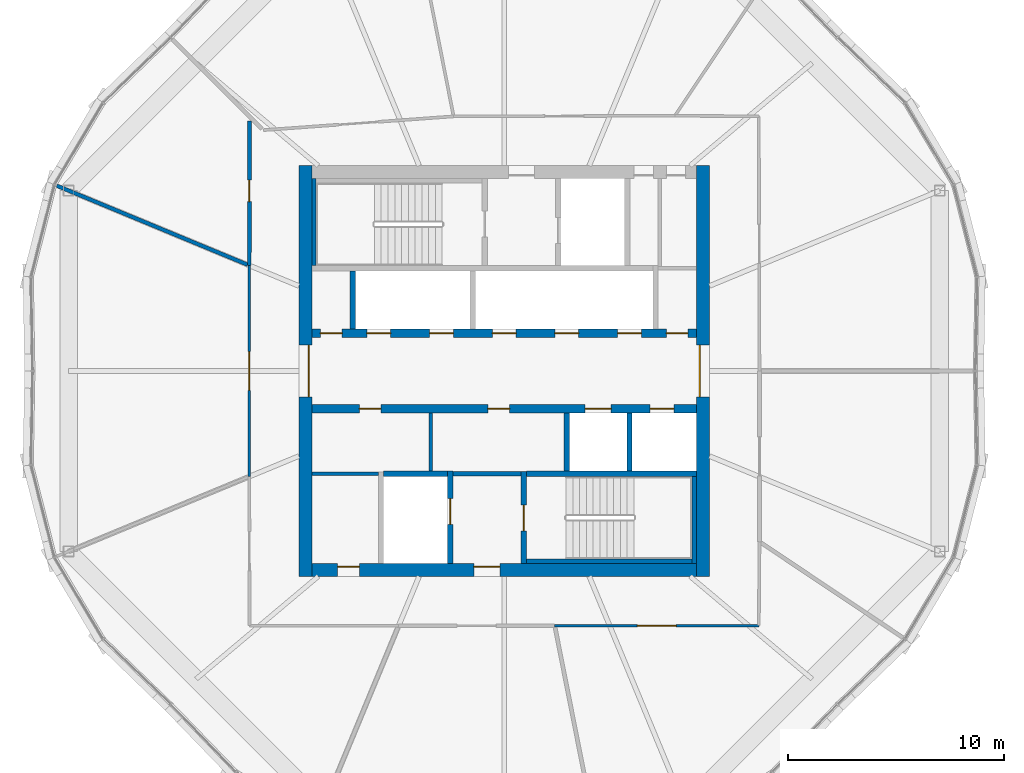
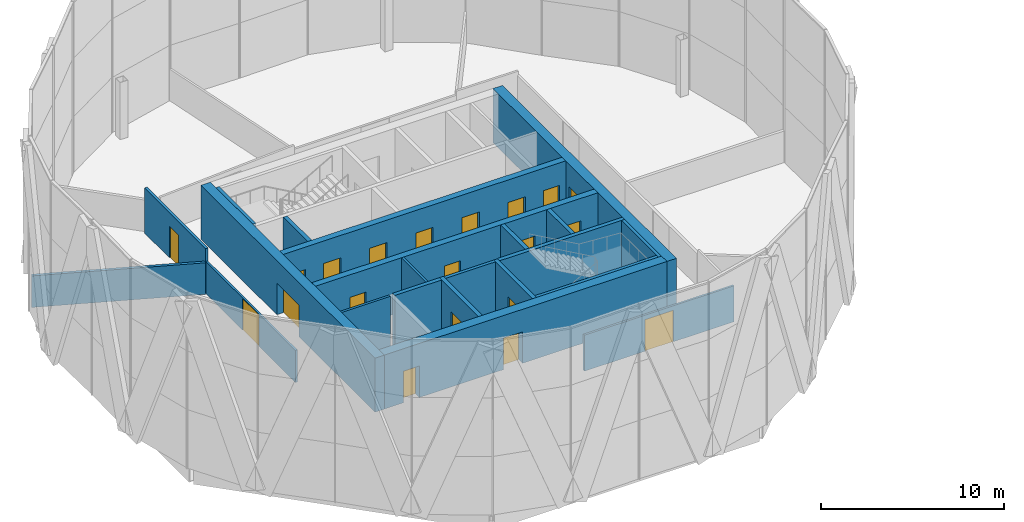
# One storey, part 17 of 23: 22 walls, 20 doors, 20 openings.
"""IFC4 building model written with IfcOpenShell, lengths in metres."""

from ifc_helpers import new_model, si_unit, direction, frame, frame_2d, origin, place, context, subcontext, project, spatial, rectangle, extrude, material, layer, layer_set, type_object, element, fill, save


model = new_model("IFC4")

# Units and contexts
model_context = context("Model", 3, precision=1e-05, world=origin(), true_north=direction((0.0, 1.0)))
body_context = subcontext(model_context, "Body", "Model", "MODEL_VIEW")
ifc_project = project(units=[si_unit("LENGTHUNIT", "METRE"), si_unit("AREAUNIT", "SQUARE_METRE"), si_unit("VOLUMEUNIT", "CUBIC_METRE"), si_unit("PLANEANGLEUNIT", "RADIAN"), si_unit("MASSUNIT", "GRAM", prefix="KILO")], contexts=[model_context])

# Site, building, storey
site_placement = place(None, origin())
site = spatial("IfcSite", under=ifc_project, at=site_placement, CompositionType="ELEMENT")
building_placement = place(site_placement, origin())
building = spatial("IfcBuilding", under=site, at=building_placement, Name="Ogive Gate Towers", CompositionType="ELEMENT")
storey_placement = place(building_placement, frame((0.0, 0.0, 177.300048828125)))
storey = spatial("IfcBuildingStorey", under=building, at=storey_placement, Name="L42", CompositionType="ELEMENT", Elevation=177.300048828125)

# Wall
ifc_material_1 = material(Name="Gypsum board acoustic partition")
ifc_layer_1 = layer(ifc_material_1, 0.175048828125)
ifc_layer_set_1 = layer_set([ifc_layer_1], Name="Acoustic partition 175")
wall_type_1 = type_object("IfcWallType", Name="Acoustic partition 175", PredefinedType="PARTITIONING", material=ifc_layer_set_1)
wall_1_placement = place(storey_placement, frame((-56.7041015625, 8.575927734375, 0.0), z_axis=(0.0, 0.0, 1.0), x_axis=(0.923880210616, -0.382681795271, 0.0)))
element("IfcWall", 1, at=wall_1_placement, inside=storey, type_object=wall_type_1, Name="Partition T1-L42-005", PredefinedType="PARTITIONING", context=body_context, shape_type="SweptSolid", body=[
    extrude(rectangle(XDim=9.561279296875, YDim=0.175048828125, at=frame_2d((4.78076171875, 0.0))), origin(), (0.0, 0.0, 1.0), 2.099853515625),
])

# Wall, opening, door
wall_2_placement = place(storey_placement, frame((-47.7802734375, 11.55908203125, 0.0), z_axis=(0.0, 0.0, 1.0), x_axis=(-0.001426271223, -0.999998982875, 0.0)))
wall_2 = element("IfcWall", 2, at=wall_2_placement, inside=storey, type_object=wall_type_1, Name="Partition T1-L42-015", PredefinedType="PARTITIONING", context=body_context, shape_type="SweptSolid", body=[
    extrude(rectangle(XDim=6.67578125, YDim=0.175048828125, at=frame_2d((3.337890625, 0.0))), origin(), (0.0, 0.0, 1.0), 3.0),
])
opening_1_placement = place(wall_2_placement, frame((2.72705078125, 0.0, 0.0)))
opening_1 = element("IfcOpeningElement", 3, at=opening_1_placement, cuts=wall_2, Name="Opening T1-L42-D05", PredefinedType="OPENING", context=body_context, shape_type="SweptSolid", body=[
    extrude(rectangle(XDim=1.0, YDim=2.10009765625, at=frame_2d((0.5, 1.050048828125))), frame((0.0, 0.09765625, 0.0), z_axis=(0.0, -1.0, 0.0), x_axis=(1.0, 0.0, 0.0)), (0.0, 0.0, 1.0), 0.195068359375),
])
ifc_material_2 = material(Name="Timber door", Category="wood")
door_type_1 = type_object("IfcDoorType", Name="Door 1000", OperationType="NOTDEFINED", PredefinedType="DOOR", material=ifc_material_2)
door_1_placement = place(opening_1_placement, origin())
door_1 = element("IfcDoor", 4, at=door_1_placement, inside=storey, type_object=door_type_1, Name="Door T1-L42-D05", OperationType="SINGLE_SWING_RIGHT", OverallHeight=2.10009765625, OverallWidth=1.0, PredefinedType="DOOR", context=body_context, shape_type="SweptSolid", body=[
    extrude(rectangle(XDim=1.0, YDim=2.10009765625, at=frame_2d((0.5, 1.050048828125))), frame((0.0, 0.02490234375, 0.0), z_axis=(0.0, -1.0, 0.0), x_axis=(1.0, 0.0, 0.0)), (0.0, 0.0, 1.0), 0.050048828125),
])
fill(opening_1, door_1)

# Wall
ifc_material_3 = material(Name="Masonry blockwork", Category="masonry")
ifc_layer_2 = layer(ifc_material_3, 0.199951171875)
ifc_layer_set_2 = layer_set([ifc_layer_2], Name="Blockwork wall 200 mm")
wall_type_2 = type_object("IfcWallType", Name="Blockwork wall 200 mm", PredefinedType="PARTITIONING", material=ifc_layer_set_2)
wall_3_placement = place(storey_placement, frame((-38.375, -4.75, 0.0), z_axis=(0.0, 0.0, 1.0), x_axis=(1.0, 0.0, 0.0)))
element("IfcWall", 5, at=wall_3_placement, inside=storey, type_object=wall_type_2, Name="T1 L42 Blockwork wall 200 mm", PredefinedType="PARTITIONING", context=body_context, shape_type="SweptSolid", body=[
    extrude(rectangle(XDim=3.14990234375, YDim=0.199951171875, at=frame_2d((1.574951171875, 0.0))), origin(), (0.0, 0.0, 1.0), 3.599853515625),
])

# Wall, openings, doors
ifc_material_4 = material(Name="Concrete C60/75", Category="concrete")
ifc_layer_3 = layer(ifc_material_4, 0.60009765625)
ifc_layer_set_3 = layer_set([ifc_layer_3], Name="Core wall 600 mm")
wall_type_3 = type_object("IfcWallType", Name="Core wall 600 mm", PredefinedType="SHEAR", material=ifc_layer_set_3)
wall_4_placement = place(storey_placement, frame((-44.89990234375, -9.199951171875, 0.0), z_axis=(0.0, 0.0, 1.0), x_axis=(1.0, 0.0, 0.0)))
wall_4 = element("IfcWall", 6, at=wall_4_placement, inside=storey, type_object=wall_type_3, Name="T1 L42 Core wall 600 mm", PredefinedType="SHEAR", context=body_context, shape_type="SweptSolid", body=[
    extrude(rectangle(XDim=17.7998046875, YDim=0.60009765625, at=frame_2d((8.89990234375, 0.0))), origin(), (0.0, 0.0, 1.0), 3.599853515625),
])
opening_2_placement = place(wall_4_placement, frame((7.5, 0.0, 0.0)))
opening_2 = element("IfcOpeningElement", 7, at=opening_2_placement, cuts=wall_4, Name="Opening KD-T1-L42-19", PredefinedType="OPENING", context=body_context, shape_type="SweptSolid", body=[
    extrude(rectangle(XDim=1.199951171875, YDim=2.10009765625, at=frame_2d((0.60009765625, 1.050048828125))), frame((0.0, 0.31005859375, 0.0), z_axis=(0.0, -1.0, 0.0), x_axis=(1.0, 0.0, 0.0)), (0.0, 0.0, 1.0), 0.6201171875),
])
opening_3_placement = place(wall_4_placement, frame((1.199951171875, 0.0, 0.0)))
opening_3 = element("IfcOpeningElement", 8, at=opening_3_placement, cuts=wall_4, Name="Opening KD-T1-L42-22", PredefinedType="OPENING", context=body_context, shape_type="SweptSolid", body=[
    extrude(rectangle(XDim=1.0, YDim=2.10009765625, at=frame_2d((0.5, 1.050048828125))), frame((0.0, 0.31005859375, 0.0), z_axis=(0.0, -1.0, 0.0), x_axis=(1.0, 0.0, 0.0)), (0.0, 0.0, 1.0), 0.6201171875),
])
door_type_2 = type_object("IfcDoorType", Name="Accessible WC door 1000 x 2100", OperationType="NOTDEFINED", PredefinedType="DOOR", material=ifc_material_2)
door_2_placement = place(opening_3_placement, origin())
door_2 = element("IfcDoor", 9, at=door_2_placement, inside=storey, type_object=door_type_2, Name="T1 L42 Core door", OperationType="SINGLE_SWING_LEFT", OverallHeight=2.10009765625, OverallWidth=1.0, PredefinedType="DOOR", context=body_context, shape_type="SweptSolid", body=[
    extrude(rectangle(XDim=1.0, YDim=2.10009765625, at=frame_2d((0.5, 1.050048828125))), frame((0.0, 0.1748046875, 0.0), z_axis=(0.0, -1.0, 0.0), x_axis=(1.0, 0.0, 0.0)), (0.0, 0.0, 1.0), 0.050048828125),
])
fill(opening_3, door_2)
ifc_material_5 = material(Name="Steel fire door", Category="steel")
door_type_3 = type_object("IfcDoorType", Name="Core door FD60S 1200 x 2100", OperationType="NOTDEFINED", PredefinedType="DOOR", material=ifc_material_5)
door_3_placement = place(opening_2_placement, origin())
door_3 = element("IfcDoor", 10, at=door_3_placement, inside=storey, type_object=door_type_3, Name="T1 L42 Fire-fighting lobby door", OperationType="SINGLE_SWING_RIGHT", OverallHeight=2.10009765625, OverallWidth=1.199951171875, PredefinedType="DOOR", context=body_context, shape_type="SweptSolid", body=[
    extrude(rectangle(XDim=1.199951171875, YDim=2.10009765625, at=frame_2d((0.60009765625, 1.050048828125))), frame((0.0, 0.1748046875, 0.0), z_axis=(0.0, -1.0, 0.0), x_axis=(1.0, 0.0, 0.0)), (0.0, 0.0, 1.0), 0.050048828125),
])
fill(opening_2, door_3)

# Wall, opening, door
wall_5_placement = place(storey_placement, frame((-45.199951171875, -9.5, 0.0), z_axis=(0.0, 0.0, 1.0), x_axis=(0.0, 1.0, 0.0)))
wall_5 = element("IfcWall", 11, at=wall_5_placement, inside=storey, type_object=wall_type_3, Name="T1 L42 Core wall 600 mm", PredefinedType="SHEAR", context=body_context, shape_type="SweptSolid", body=[
    extrude(rectangle(XDim=19.0, YDim=0.60009765625, at=frame_2d((9.5, 0.0))), origin(), (0.0, 0.0, 1.0), 3.599853515625),
])
opening_4_placement = place(wall_5_placement, frame((8.300048828125, 0.0, 0.0)))
opening_4 = element("IfcOpeningElement", 12, at=opening_4_placement, cuts=wall_5, Name="Opening KD-T1-L42-01", PredefinedType="OPENING", context=body_context, shape_type="SweptSolid", body=[
    extrude(rectangle(XDim=2.39990234375, YDim=2.10009765625, at=frame_2d((1.199951171875, 1.050048828125))), frame((0.0, 0.31005859375, 0.0), z_axis=(0.0, -1.0, 0.0), x_axis=(1.0, 0.0, 0.0)), (0.0, 0.0, 1.0), 0.6201171875),
])
door_type_4 = type_object("IfcDoorType", Name="Core double door FD60S 2400 x 2100", OperationType="DOUBLE_DOOR_SINGLE_SWING", PredefinedType="DOOR", material=ifc_material_5)
door_4_placement = place(opening_4_placement, origin())
door_4 = element("IfcDoor", 13, at=door_4_placement, inside=storey, type_object=door_type_4, Name="T1 L42 Core door double", OperationType="DOUBLE_DOOR_SINGLE_SWING", OverallHeight=2.10009765625, OverallWidth=2.39990234375, PredefinedType="DOOR", context=body_context, shape_type="SweptSolid", body=[
    extrude(rectangle(XDim=2.39990234375, YDim=2.10009765625, at=frame_2d((1.199951171875, 1.050048828125))), frame((0.0, -0.125, 0.0), z_axis=(0.0, -1.0, 0.0), x_axis=(1.0, 0.0, 0.0)), (0.0, 0.0, 1.0), 0.050048828125),
])
fill(opening_4, door_4)

wall_6_placement = place(storey_placement, frame((-26.800048828125, -9.5, 0.0), z_axis=(0.0, 0.0, 1.0), x_axis=(0.0, 1.0, 0.0)))
wall_6 = element("IfcWall", 14, at=wall_6_placement, inside=storey, type_object=wall_type_3, Name="T1 L42 Core wall 600 mm", PredefinedType="SHEAR", context=body_context, shape_type="SweptSolid", body=[
    extrude(rectangle(XDim=19.0, YDim=0.60009765625, at=frame_2d((9.5, 0.0))), origin(), (0.0, 0.0, 1.0), 3.599853515625),
])
opening_5_placement = place(wall_6_placement, frame((8.300048828125, 0.0, 0.0)))
opening_5 = element("IfcOpeningElement", 15, at=opening_5_placement, cuts=wall_6, Name="Opening KD-T1-L42-02", PredefinedType="OPENING", context=body_context, shape_type="SweptSolid", body=[
    extrude(rectangle(XDim=2.39990234375, YDim=2.10009765625, at=frame_2d((1.199951171875, 1.050048828125))), frame((0.0, 0.31005859375, 0.0), z_axis=(0.0, -1.0, 0.0), x_axis=(1.0, 0.0, 0.0)), (0.0, 0.0, 1.0), 0.6201171875),
])
door_5_placement = place(opening_5_placement, origin())
door_5 = element("IfcDoor", 16, at=door_5_placement, inside=storey, type_object=door_type_4, Name="T1 L42 Core door double", OperationType="DOUBLE_DOOR_SINGLE_SWING", OverallHeight=2.10009765625, OverallWidth=2.39990234375, PredefinedType="DOOR", context=body_context, shape_type="SweptSolid", body=[
    extrude(rectangle(XDim=2.39990234375, YDim=2.10009765625, at=frame_2d((1.199951171875, 1.050048828125))), frame((0.0, 0.1748046875, 0.0), z_axis=(0.0, -1.0, 0.0), x_axis=(1.0, 0.0, 0.0)), (0.0, 0.0, 1.0), 0.050048828125),
])
fill(opening_5, door_5)

ifc_material_6 = material(Name="Gypsum board partition")
ifc_layer_4 = layer(ifc_material_6, 0.125)
ifc_layer_set_4 = layer_set([ifc_layer_4], Name="Partition 125")
wall_type_4 = type_object("IfcWallType", Name="Partition 125", PredefinedType="PARTITIONING", material=ifc_layer_set_4)
wall_7_placement = place(storey_placement, frame((-47.789794921875, 4.88330078125, 0.0), z_axis=(0.0, 0.0, 1.0), x_axis=(0.0, -1.0, 0.0)))
wall_7 = element("IfcWall", 17, at=wall_7_placement, inside=storey, type_object=wall_type_4, Name="Partition T1-L42-016", PredefinedType="PARTITIONING", context=body_context, shape_type="SweptSolid", body=[
    extrude(rectangle(XDim=9.7666015625, YDim=0.125, at=frame_2d((4.88330078125, 0.0))), origin(), (0.0, 0.0, 1.0), 2.139892578125),
])
opening_6_placement = place(wall_7_placement, frame((3.98291015625, 0.0, 0.0)))
opening_6 = element("IfcOpeningElement", 18, at=opening_6_placement, cuts=wall_7, Name="Opening T1-L42-D06", PredefinedType="OPENING", context=body_context, shape_type="SweptSolid", body=[
    extrude(rectangle(XDim=1.800048828125, YDim=2.10009765625, at=frame_2d((0.89990234375, 1.050048828125))), frame((0.0, 0.072509765625, 0.0), z_axis=(0.0, -1.0, 0.0), x_axis=(1.0, 0.0, 0.0)), (0.0, 0.0, 1.0), 0.14501953125),
])
door_type_5 = type_object("IfcDoorType", Name="Door pair 1800", OperationType="NOTDEFINED", PredefinedType="DOOR", material=ifc_material_2)
door_6_placement = place(opening_6_placement, origin())
door_6 = element("IfcDoor", 19, at=door_6_placement, inside=storey, type_object=door_type_5, Name="Door T1-L42-D06", OperationType="DOUBLE_DOOR_DOUBLE_SWING", OverallHeight=2.10009765625, OverallWidth=1.800048828125, PredefinedType="DOOR", context=body_context, shape_type="SweptSolid", body=[
    extrude(rectangle(XDim=1.800048828125, YDim=2.10009765625, at=frame_2d((0.89990234375, 1.050048828125))), frame((0.0, 0.02490234375, 0.0), z_axis=(0.0, -1.0, 0.0), x_axis=(1.0, 0.0, 0.0)), (0.0, 0.0, 1.0), 0.050048828125),
])
fill(opening_6, door_6)

wall_8_placement = place(storey_placement, frame((-33.6611328125, -11.78076171875, 0.0), z_axis=(0.0, 0.0, 1.0), x_axis=(0.999999996991, 7.7577513e-05, 0.0)))
wall_8 = element("IfcWall", 20, at=wall_8_placement, inside=storey, type_object=wall_type_4, Name="Partition T1-L42-020", PredefinedType="PARTITIONING", context=body_context, shape_type="SweptSolid", body=[
    extrude(rectangle(XDim=9.441162109375, YDim=0.125, at=frame_2d((4.720703125, 0.0))), origin(), (0.0, 0.0, 1.0), 2.39990234375),
])
opening_7_placement = place(wall_8_placement, frame((3.821044921875, 0.0, 0.0)))
opening_7 = element("IfcOpeningElement", 21, at=opening_7_placement, cuts=wall_8, Name="Opening T1-L42-D09", PredefinedType="OPENING", context=body_context, shape_type="SweptSolid", body=[
    extrude(rectangle(XDim=1.800048828125, YDim=2.10009765625, at=frame_2d((0.89990234375, 1.050048828125))), frame((0.0, 0.072509765625, 0.0), z_axis=(0.0, -1.0, 0.0), x_axis=(1.0, 0.0, 0.0)), (0.0, 0.0, 1.0), 0.14501953125),
])
door_7_placement = place(opening_7_placement, origin())
door_7 = element("IfcDoor", 22, at=door_7_placement, inside=storey, type_object=door_type_5, Name="Door T1-L42-D09", OperationType="DOUBLE_DOOR_DOUBLE_SWING", OverallHeight=2.10009765625, OverallWidth=1.800048828125, PredefinedType="DOOR", context=body_context, shape_type="SweptSolid", body=[
    extrude(rectangle(XDim=1.800048828125, YDim=2.10009765625, at=frame_2d((0.89990234375, 1.050048828125))), frame((0.0, 0.02490234375, 0.0), z_axis=(0.0, -1.0, 0.0), x_axis=(1.0, 0.0, 0.0)), (0.0, 0.0, 1.0), 0.050048828125),
])
fill(opening_7, door_7)

# Walls
ifc_layer_5 = layer(ifc_material_6, 0.14990234375)
ifc_layer_set_5 = layer_set([ifc_layer_5], Name="Room partition 150 mm")
wall_type_5 = type_object("IfcWallType", Name="Room partition 150 mm", PredefinedType="PARTITIONING", material=ifc_layer_set_5)
wall_9_placement = place(storey_placement, frame((-44.89990234375, -4.75, 0.0), z_axis=(0.0, 0.0, 1.0), x_axis=(1.0, 0.0, 0.0)))
element("IfcWall", 23, at=wall_9_placement, inside=storey, type_object=wall_type_5, Name="T1 L42 Room partition 150 mm", PredefinedType="PARTITIONING", context=body_context, shape_type="SweptSolid", body=[
    extrude(rectangle(XDim=3.074951171875, YDim=0.14990234375, at=frame_2d((1.53759765625, 0.0))), origin(), (0.0, 0.0, 1.0), 3.599853515625),
])
wall_10_placement = place(storey_placement, frame((-39.39990234375, -4.625, 0.0), z_axis=(0.0, 0.0, 1.0), x_axis=(0.0, 1.0, 0.0)))
element("IfcWall", 24, at=wall_10_placement, inside=storey, type_object=wall_type_5, Name="T1 L42 Room partition 150 mm", PredefinedType="PARTITIONING", context=body_context, shape_type="SweptSolid", body=[
    extrude(rectangle(XDim=2.675048828125, YDim=0.14990234375, at=frame_2d((1.33740234375, 0.0))), origin(), (0.0, 0.0, 1.0), 3.599853515625),
])
ifc_layer_6 = layer(ifc_material_4, 0.25)
ifc_layer_set_6 = layer_set([ifc_layer_6], Name="Shaft wall 250 mm")
wall_type_6 = type_object("IfcWallType", Name="Shaft wall 250 mm", PredefinedType="SHEAR", material=ifc_layer_set_6)
wall_11_placement = place(storey_placement, frame((-41.574951171875, -4.75, 0.0), z_axis=(0.0, 0.0, 1.0), x_axis=(1.0, 0.0, 0.0)))
element("IfcWall", 25, at=wall_11_placement, inside=storey, type_object=wall_type_6, Name="T1 L42 Shaft wall 250 mm", PredefinedType="SHEAR", context=body_context, shape_type="SweptSolid", body=[
    extrude(rectangle(XDim=2.949951171875, YDim=0.25, at=frame_2d((1.47509765625, 0.0))), origin(), (0.0, 0.0, 1.0), 3.599853515625),
])
wall_12_placement = place(storey_placement, frame((-34.97509765625, -4.75, 0.0), z_axis=(0.0, 0.0, 1.0), x_axis=(1.0, 0.0, 0.0)))
element("IfcWall", 26, at=wall_12_placement, inside=storey, type_object=wall_type_6, Name="T1 L42 Shaft wall 250 mm", PredefinedType="SHEAR", context=body_context, shape_type="SweptSolid", body=[
    extrude(rectangle(XDim=7.875, YDim=0.25, at=frame_2d((3.9375, 0.0))), origin(), (0.0, 0.0, 1.0), 3.599853515625),
])
wall_13_placement = place(storey_placement, frame((-43.0, 1.949951171875, 0.0), z_axis=(0.0, 0.0, 1.0), x_axis=(0.0, 1.0, 0.0)))
element("IfcWall", 27, at=wall_13_placement, inside=storey, type_object=wall_type_6, Name="T1 L42 Shaft wall 250 mm", PredefinedType="SHEAR", context=body_context, shape_type="SweptSolid", body=[
    extrude(rectangle(XDim=2.675048828125, YDim=0.25, at=frame_2d((1.33740234375, 0.0))), origin(), (0.0, 0.0, 1.0), 3.599853515625),
])

# Wall, opening, door
wall_14_placement = place(storey_placement, frame((-38.5, -8.89990234375, 0.0), z_axis=(0.0, 0.0, 1.0), x_axis=(0.0, 1.0, 0.0)))
wall_14 = element("IfcWall", 28, at=wall_14_placement, inside=storey, type_object=wall_type_6, Name="T1 L42 Shaft wall 250 mm", PredefinedType="SHEAR", context=body_context, shape_type="SweptSolid", body=[
    extrude(rectangle(XDim=4.27490234375, YDim=0.25, at=frame_2d((2.137451171875, 0.0))), origin(), (0.0, 0.0, 1.0), 3.599853515625),
])
opening_8_placement = place(wall_14_placement, frame((1.800048828125, 0.0, 0.0)))
opening_8 = element("IfcOpeningElement", 29, at=opening_8_placement, cuts=wall_14, Name="Opening LD-T1-L42-13", PredefinedType="OPENING", context=body_context, shape_type="SweptSolid", body=[
    extrude(rectangle(XDim=1.199951171875, YDim=2.10009765625, at=frame_2d((0.60009765625, 1.050048828125))), frame((0.0, 0.135009765625, 0.0), z_axis=(0.0, -1.0, 0.0), x_axis=(1.0, 0.0, 0.0)), (0.0, 0.0, 1.0), 0.27001953125),
])
ifc_material_7 = material(Name="Stainless steel landing door", Category="steel")
door_type_6 = type_object("IfcDoorType", Name="Landing door 1200 x 2100", OperationType="SLIDING_TO_LEFT", PredefinedType="DOOR", material=ifc_material_7)
door_8_placement = place(opening_8_placement, origin())
door_8 = element("IfcDoor", 30, at=door_8_placement, inside=storey, type_object=door_type_6, Name="T1 L42 Lift landing door FF2", OperationType="SLIDING_TO_LEFT", OverallHeight=2.10009765625, OverallWidth=1.199951171875, PredefinedType="DOOR", context=body_context, shape_type="SweptSolid", body=[
    extrude(rectangle(XDim=1.199951171875, YDim=2.10009765625, at=frame_2d((0.60009765625, 1.050048828125))), frame((0.0, 0.02490234375, 0.0), z_axis=(0.0, -1.0, 0.0), x_axis=(1.0, 0.0, 0.0)), (0.0, 0.0, 1.0), 0.050048828125),
])
fill(opening_8, door_8)

wall_15_placement = place(storey_placement, frame((-35.10009765625, -8.89990234375, 0.0), z_axis=(0.0, 0.0, 1.0), x_axis=(0.0, 1.0, 0.0)))
wall_15 = element("IfcWall", 31, at=wall_15_placement, inside=storey, type_object=wall_type_6, Name="T1 L42 Shaft wall 250 mm", PredefinedType="SHEAR", context=body_context, shape_type="SweptSolid", body=[
    extrude(rectangle(XDim=4.25, YDim=0.25, at=frame_2d((2.125, 0.0))), origin(), (0.0, 0.0, 1.0), 3.599853515625),
])
opening_9_placement = place(wall_15_placement, frame((1.5, 0.0, 0.0)))
opening_9 = element("IfcOpeningElement", 32, at=opening_9_placement, cuts=wall_15, Name="Opening KD-T1-L42-17", PredefinedType="OPENING", context=body_context, shape_type="SweptSolid", body=[
    extrude(rectangle(XDim=1.199951171875, YDim=2.10009765625, at=frame_2d((0.60009765625, 1.050048828125))), frame((0.0, 0.135009765625, 0.0), z_axis=(0.0, -1.0, 0.0), x_axis=(1.0, 0.0, 0.0)), (0.0, 0.0, 1.0), 0.27001953125),
])
door_9_placement = place(opening_9_placement, origin())
door_9 = element("IfcDoor", 33, at=door_9_placement, inside=storey, type_object=door_type_3, Name="T1 L42 Stair door", OperationType="SINGLE_SWING_RIGHT", OverallHeight=2.10009765625, OverallWidth=1.199951171875, PredefinedType="DOOR", context=body_context, shape_type="SweptSolid", body=[
    extrude(rectangle(XDim=1.199951171875, YDim=2.10009765625, at=frame_2d((0.60009765625, 1.050048828125))), frame((0.0, 0.02490234375, 0.0), z_axis=(0.0, -1.0, 0.0), x_axis=(1.0, 0.0, 0.0)), (0.0, 0.0, 1.0), 0.050048828125),
])
fill(opening_9, door_9)

# Walls
for number, where, z_axis, x_axis, name in (
    (34, (-33.10009765625, -4.625, 0.0), (0.0, 0.0, 1.0), (0.0, 1.0, 0.0), "T1 L42 Shaft wall 250 mm"),
    (35, (-30.199951171875, -4.625, 0.0), (0.0, 0.0, 1.0), (0.0, 1.0, 0.0), "T1 L42 Shaft wall 250 mm"),
):
    element("IfcWall", number, at=place(storey_placement, frame(where, z_axis=z_axis, x_axis=x_axis)), inside=storey, type_object=wall_type_6, Name=name, PredefinedType="SHEAR", context=body_context, shape_type="SweptSolid", body=[
        extrude(rectangle(XDim=2.675048828125, YDim=0.25, at=frame_2d((1.33740234375, 0.0))), origin(), (0.0, 0.0, 1.0), 3.599853515625),
    ])

# Wall, openings, doors
ifc_layer_7 = layer(ifc_material_4, 0.39990234375)
ifc_layer_set_7 = layer_set([ifc_layer_7], Name="Spine wall 400 mm")
wall_type_7 = type_object("IfcWallType", Name="Spine wall 400 mm", PredefinedType="SHEAR", material=ifc_layer_set_7)
wall_16_placement = place(storey_placement, frame((-44.89990234375, -1.75, 0.0), z_axis=(0.0, 0.0, 1.0), x_axis=(1.0, 0.0, 0.0)))
wall_16 = element("IfcWall", 36, at=wall_16_placement, inside=storey, type_object=wall_type_7, Name="T1 L42 Spine wall 400 mm", PredefinedType="SHEAR", context=body_context, shape_type="SweptSolid", body=[
    extrude(rectangle(XDim=17.7998046875, YDim=0.39990234375, at=frame_2d((8.89990234375, 0.0))), origin(), (0.0, 0.0, 1.0), 3.599853515625),
])
opening_10_placement = place(wall_16_placement, frame((12.64990234375, 0.0, 0.0)))
opening_10 = element("IfcOpeningElement", 37, at=opening_10_placement, cuts=wall_16, Name="Opening LD-T1-L42-10", PredefinedType="OPENING", context=body_context, shape_type="SweptSolid", body=[
    extrude(rectangle(XDim=1.199951171875, YDim=2.10009765625, at=frame_2d((0.60009765625, 1.050048828125))), frame((0.0, 0.2099609375, 0.0), z_axis=(0.0, -1.0, 0.0), x_axis=(1.0, 0.0, 0.0)), (0.0, 0.0, 1.0), 0.419921875),
])
opening_11_placement = place(wall_16_placement, frame((15.64990234375, 0.0, 0.0)))
opening_11 = element("IfcOpeningElement", 38, at=opening_11_placement, cuts=wall_16, Name="Opening LD-T1-L42-11", PredefinedType="OPENING", context=body_context, shape_type="SweptSolid", body=[
    extrude(rectangle(XDim=1.10009765625, YDim=2.10009765625, at=frame_2d((0.550048828125, 1.050048828125))), frame((0.0, 0.2099609375, 0.0), z_axis=(0.0, -1.0, 0.0), x_axis=(1.0, 0.0, 0.0)), (0.0, 0.0, 1.0), 0.419921875),
])
opening_12_placement = place(wall_16_placement, frame((2.199951171875, 0.0, 0.0)))
opening_12 = element("IfcOpeningElement", 39, at=opening_12_placement, cuts=wall_16, Name="Opening KD-T1-L42-14", PredefinedType="OPENING", context=body_context, shape_type="SweptSolid", body=[
    extrude(rectangle(XDim=1.0, YDim=2.10009765625, at=frame_2d((0.5, 1.050048828125))), frame((0.0, 0.2099609375, 0.0), z_axis=(0.0, -1.0, 0.0), x_axis=(1.0, 0.0, 0.0)), (0.0, 0.0, 1.0), 0.419921875),
])
opening_13_placement = place(wall_16_placement, frame((8.14990234375, 0.0, 0.0)))
opening_13 = element("IfcOpeningElement", 40, at=opening_13_placement, cuts=wall_16, Name="Opening KD-T1-L42-15", PredefinedType="OPENING", context=body_context, shape_type="SweptSolid", body=[
    extrude(rectangle(XDim=1.0, YDim=2.10009765625, at=frame_2d((0.5, 1.050048828125))), frame((0.0, 0.2099609375, 0.0), z_axis=(0.0, -1.0, 0.0), x_axis=(1.0, 0.0, 0.0)), (0.0, 0.0, 1.0), 0.419921875),
])
door_type_7 = type_object("IfcDoorType", Name="Core door FD60S 1000 x 2100", OperationType="NOTDEFINED", PredefinedType="DOOR", material=ifc_material_5)
door_10_placement = place(opening_12_placement, origin())
door_10 = element("IfcDoor", 41, at=door_10_placement, inside=storey, type_object=door_type_7, Name="T1 L42 Core door", OperationType="SINGLE_SWING_LEFT", OverallHeight=2.10009765625, OverallWidth=1.0, PredefinedType="DOOR", context=body_context, shape_type="SweptSolid", body=[
    extrude(rectangle(XDim=1.0, YDim=2.10009765625, at=frame_2d((0.5, 1.050048828125))), frame((0.0, 0.02490234375, 0.0), z_axis=(0.0, -1.0, 0.0), x_axis=(1.0, 0.0, 0.0)), (0.0, 0.0, 1.0), 0.050048828125),
])
fill(opening_12, door_10)
door_11_placement = place(opening_13_placement, origin())
door_11 = element("IfcDoor", 42, at=door_11_placement, inside=storey, type_object=door_type_7, Name="T1 L42 Core door", OperationType="SINGLE_SWING_RIGHT", OverallHeight=2.10009765625, OverallWidth=1.0, PredefinedType="DOOR", context=body_context, shape_type="SweptSolid", body=[
    extrude(rectangle(XDim=1.0, YDim=2.10009765625, at=frame_2d((0.5, 1.050048828125))), frame((0.0, 0.02490234375, 0.0), z_axis=(0.0, -1.0, 0.0), x_axis=(1.0, 0.0, 0.0)), (0.0, 0.0, 1.0), 0.050048828125),
])
fill(opening_13, door_11)
door_type_8 = type_object("IfcDoorType", Name="Landing door 1100 x 2100", OperationType="SLIDING_TO_LEFT", PredefinedType="DOOR", material=ifc_material_7)
door_12_placement = place(opening_11_placement, origin())
door_12 = element("IfcDoor", 43, at=door_12_placement, inside=storey, type_object=door_type_8, Name="T1 L42 Lift landing door B6", OperationType="SLIDING_TO_LEFT", OverallHeight=2.10009765625, OverallWidth=1.10009765625, PredefinedType="DOOR", context=body_context, shape_type="SweptSolid", body=[
    extrude(rectangle(XDim=1.10009765625, YDim=2.10009765625, at=frame_2d((0.550048828125, 1.050048828125))), frame((0.0, 0.02490234375, 0.0), z_axis=(0.0, -1.0, 0.0), x_axis=(1.0, 0.0, 0.0)), (0.0, 0.0, 1.0), 0.050048828125),
])
fill(opening_11, door_12)
door_13_placement = place(opening_10_placement, origin())
door_13 = element("IfcDoor", 44, at=door_13_placement, inside=storey, type_object=door_type_6, Name="T1 L42 Lift landing door SVC", OperationType="SLIDING_TO_LEFT", OverallHeight=2.10009765625, OverallWidth=1.199951171875, PredefinedType="DOOR", context=body_context, shape_type="SweptSolid", body=[
    extrude(rectangle(XDim=1.199951171875, YDim=2.10009765625, at=frame_2d((0.60009765625, 1.050048828125))), frame((0.0, 0.02490234375, 0.0), z_axis=(0.0, -1.0, 0.0), x_axis=(1.0, 0.0, 0.0)), (0.0, 0.0, 1.0), 0.050048828125),
])
fill(opening_10, door_13)

wall_17_placement = place(storey_placement, frame((-44.89990234375, 1.75, 0.0), z_axis=(0.0, 0.0, 1.0), x_axis=(1.0, 0.0, 0.0)))
wall_17 = element("IfcWall", 45, at=wall_17_placement, inside=storey, type_object=wall_type_7, Name="T1 L42 Spine wall 400 mm", PredefinedType="SHEAR", context=body_context, shape_type="SweptSolid", body=[
    extrude(rectangle(XDim=17.7998046875, YDim=0.39990234375, at=frame_2d((8.89990234375, 0.0))), origin(), (0.0, 0.0, 1.0), 3.599853515625),
])
opening_14_placement = place(wall_17_placement, frame((0.39990234375, 0.0, 0.0)))
opening_14 = element("IfcOpeningElement", 46, at=opening_14_placement, cuts=wall_17, Name="Opening KD-T1-L42-03", PredefinedType="OPENING", context=body_context, shape_type="SweptSolid", body=[
    extrude(rectangle(XDim=1.0, YDim=2.10009765625, at=frame_2d((0.5, 1.050048828125))), frame((0.0, 0.2099609375, 0.0), z_axis=(0.0, -1.0, 0.0), x_axis=(1.0, 0.0, 0.0)), (0.0, 0.0, 1.0), 0.419921875),
])
opening_15_placement = place(wall_17_placement, frame((2.550048828125, 0.0, 0.0)))
opening_15 = element("IfcOpeningElement", 47, at=opening_15_placement, cuts=wall_17, Name="Opening LD-T1-L42-04", PredefinedType="OPENING", context=body_context, shape_type="SweptSolid", body=[
    extrude(rectangle(XDim=1.10009765625, YDim=2.10009765625, at=frame_2d((0.550048828125, 1.050048828125))), frame((0.0, 0.2099609375, 0.0), z_axis=(0.0, -1.0, 0.0), x_axis=(1.0, 0.0, 0.0)), (0.0, 0.0, 1.0), 0.419921875),
])
opening_16_placement = place(wall_17_placement, frame((5.449951171875, 0.0, 0.0)))
opening_16 = element("IfcOpeningElement", 48, at=opening_16_placement, cuts=wall_17, Name="Opening LD-T1-L42-05", PredefinedType="OPENING", context=body_context, shape_type="SweptSolid", body=[
    extrude(rectangle(XDim=1.10009765625, YDim=2.10009765625, at=frame_2d((0.550048828125, 1.050048828125))), frame((0.0, 0.2099609375, 0.0), z_axis=(0.0, -1.0, 0.0), x_axis=(1.0, 0.0, 0.0)), (0.0, 0.0, 1.0), 0.419921875),
])
opening_17_placement = place(wall_17_placement, frame((8.35009765625, 0.0, 0.0)))
opening_17 = element("IfcOpeningElement", 49, at=opening_17_placement, cuts=wall_17, Name="Opening LD-T1-L42-06", PredefinedType="OPENING", context=body_context, shape_type="SweptSolid", body=[
    extrude(rectangle(XDim=1.10009765625, YDim=2.10009765625, at=frame_2d((0.550048828125, 1.050048828125))), frame((0.0, 0.2099609375, 0.0), z_axis=(0.0, -1.0, 0.0), x_axis=(1.0, 0.0, 0.0)), (0.0, 0.0, 1.0), 0.419921875),
])
opening_18_placement = place(wall_17_placement, frame((11.25, 0.0, 0.0)))
opening_18 = element("IfcOpeningElement", 50, at=opening_18_placement, cuts=wall_17, Name="Opening LD-T1-L42-07", PredefinedType="OPENING", context=body_context, shape_type="SweptSolid", body=[
    extrude(rectangle(XDim=1.10009765625, YDim=2.10009765625, at=frame_2d((0.550048828125, 1.050048828125))), frame((0.0, 0.2099609375, 0.0), z_axis=(0.0, -1.0, 0.0), x_axis=(1.0, 0.0, 0.0)), (0.0, 0.0, 1.0), 0.419921875),
])
opening_19_placement = place(wall_17_placement, frame((14.14990234375, 0.0, 0.0)))
opening_19 = element("IfcOpeningElement", 51, at=opening_19_placement, cuts=wall_17, Name="Opening LD-T1-L42-08", PredefinedType="OPENING", context=body_context, shape_type="SweptSolid", body=[
    extrude(rectangle(XDim=1.10009765625, YDim=2.10009765625, at=frame_2d((0.550048828125, 1.050048828125))), frame((0.0, 0.2099609375, 0.0), z_axis=(0.0, -1.0, 0.0), x_axis=(1.0, 0.0, 0.0)), (0.0, 0.0, 1.0), 0.419921875),
])
opening_20_placement = place(wall_17_placement, frame((16.39990234375, 0.0, 0.0)))
opening_20 = element("IfcOpeningElement", 52, at=opening_20_placement, cuts=wall_17, Name="Opening KD-T1-L42-09", PredefinedType="OPENING", context=body_context, shape_type="SweptSolid", body=[
    extrude(rectangle(XDim=1.0, YDim=2.10009765625, at=frame_2d((0.5, 1.050048828125))), frame((0.0, 0.2099609375, 0.0), z_axis=(0.0, -1.0, 0.0), x_axis=(1.0, 0.0, 0.0)), (0.0, 0.0, 1.0), 0.419921875),
])
door_14_placement = place(opening_14_placement, origin())
door_14 = element("IfcDoor", 53, at=door_14_placement, inside=storey, type_object=door_type_7, Name="T1 L42 Core door", OperationType="SINGLE_SWING_RIGHT", OverallHeight=2.10009765625, OverallWidth=1.0, PredefinedType="DOOR", context=body_context, shape_type="SweptSolid", body=[
    extrude(rectangle(XDim=1.0, YDim=2.10009765625, at=frame_2d((0.5, 1.050048828125))), frame((0.0, 0.02490234375, 0.0), z_axis=(0.0, -1.0, 0.0), x_axis=(1.0, 0.0, 0.0)), (0.0, 0.0, 1.0), 0.050048828125),
])
fill(opening_14, door_14)
door_15_placement = place(opening_20_placement, origin())
door_15 = element("IfcDoor", 54, at=door_15_placement, inside=storey, type_object=door_type_7, Name="T1 L42 Core door", OperationType="SINGLE_SWING_RIGHT", OverallHeight=2.10009765625, OverallWidth=1.0, PredefinedType="DOOR", context=body_context, shape_type="SweptSolid", body=[
    extrude(rectangle(XDim=1.0, YDim=2.10009765625, at=frame_2d((0.5, 1.050048828125))), frame((0.0, 0.02490234375, 0.0), z_axis=(0.0, -1.0, 0.0), x_axis=(1.0, 0.0, 0.0)), (0.0, 0.0, 1.0), 0.050048828125),
])
fill(opening_20, door_15)
door_16_placement = place(opening_15_placement, origin())
door_16 = element("IfcDoor", 55, at=door_16_placement, inside=storey, type_object=door_type_8, Name="T1 L42 Lift landing door B1", OperationType="SLIDING_TO_LEFT", OverallHeight=2.10009765625, OverallWidth=1.10009765625, PredefinedType="DOOR", context=body_context, shape_type="SweptSolid", body=[
    extrude(rectangle(XDim=1.10009765625, YDim=2.10009765625, at=frame_2d((0.550048828125, 1.050048828125))), frame((0.0, 0.02490234375, 0.0), z_axis=(0.0, -1.0, 0.0), x_axis=(1.0, 0.0, 0.0)), (0.0, 0.0, 1.0), 0.050048828125),
])
fill(opening_15, door_16)
door_17_placement = place(opening_16_placement, origin())
door_17 = element("IfcDoor", 56, at=door_17_placement, inside=storey, type_object=door_type_8, Name="T1 L42 Lift landing door B2", OperationType="SLIDING_TO_LEFT", OverallHeight=2.10009765625, OverallWidth=1.10009765625, PredefinedType="DOOR", context=body_context, shape_type="SweptSolid", body=[
    extrude(rectangle(XDim=1.10009765625, YDim=2.10009765625, at=frame_2d((0.550048828125, 1.050048828125))), frame((0.0, 0.02490234375, 0.0), z_axis=(0.0, -1.0, 0.0), x_axis=(1.0, 0.0, 0.0)), (0.0, 0.0, 1.0), 0.050048828125),
])
fill(opening_16, door_17)
door_18_placement = place(opening_17_placement, origin())
door_18 = element("IfcDoor", 57, at=door_18_placement, inside=storey, type_object=door_type_8, Name="T1 L42 Lift landing door B3", OperationType="SLIDING_TO_LEFT", OverallHeight=2.10009765625, OverallWidth=1.10009765625, PredefinedType="DOOR", context=body_context, shape_type="SweptSolid", body=[
    extrude(rectangle(XDim=1.10009765625, YDim=2.10009765625, at=frame_2d((0.550048828125, 1.050048828125))), frame((0.0, 0.02490234375, 0.0), z_axis=(0.0, -1.0, 0.0), x_axis=(1.0, 0.0, 0.0)), (0.0, 0.0, 1.0), 0.050048828125),
])
fill(opening_17, door_18)
door_19_placement = place(opening_18_placement, origin())
door_19 = element("IfcDoor", 58, at=door_19_placement, inside=storey, type_object=door_type_8, Name="T1 L42 Lift landing door B4", OperationType="SLIDING_TO_LEFT", OverallHeight=2.10009765625, OverallWidth=1.10009765625, PredefinedType="DOOR", context=body_context, shape_type="SweptSolid", body=[
    extrude(rectangle(XDim=1.10009765625, YDim=2.10009765625, at=frame_2d((0.550048828125, 1.050048828125))), frame((0.0, 0.02490234375, 0.0), z_axis=(0.0, -1.0, 0.0), x_axis=(1.0, 0.0, 0.0)), (0.0, 0.0, 1.0), 0.050048828125),
])
fill(opening_18, door_19)
door_20_placement = place(opening_19_placement, origin())
door_20 = element("IfcDoor", 59, at=door_20_placement, inside=storey, type_object=door_type_8, Name="T1 L42 Lift landing door B5", OperationType="SLIDING_TO_LEFT", OverallHeight=2.10009765625, OverallWidth=1.10009765625, PredefinedType="DOOR", context=body_context, shape_type="SweptSolid", body=[
    extrude(rectangle(XDim=1.10009765625, YDim=2.10009765625, at=frame_2d((0.550048828125, 1.050048828125))), frame((0.0, 0.02490234375, 0.0), z_axis=(0.0, -1.0, 0.0), x_axis=(1.0, 0.0, 0.0)), (0.0, 0.0, 1.0), 0.050048828125),
])
fill(opening_19, door_20)

# Walls
ifc_layer_8 = layer(ifc_material_4, 0.199951171875)
ifc_layer_set_8 = layer_set([ifc_layer_8], Name="Stair wall 200 mm")
wall_type_8 = type_object("IfcWallType", Name="Stair wall 200 mm", PredefinedType="SHEAR", material=ifc_layer_set_8)
wall_18_placement = place(storey_placement, frame((-34.97509765625, -8.800048828125, 0.0), z_axis=(0.0, 0.0, 1.0), x_axis=(1.0, 0.0, 0.0)))
element("IfcWall", 60, at=wall_18_placement, inside=storey, type_object=wall_type_8, Name="T1 L42 Stair wall 200 mm", PredefinedType="SHEAR", context=body_context, shape_type="SweptSolid", body=[
    extrude(rectangle(XDim=7.675048828125, YDim=0.199951171875, at=frame_2d((3.83740234375, 0.0))), origin(), (0.0, 0.0, 1.0), 3.599853515625),
])
for number, where, z_axis, x_axis, name in (
    (61, (-44.800048828125, 4.875, 0.0), (0.0, 0.0, 1.0), (0.0, 1.0, 0.0), "T1 L42 Stair wall 200 mm"),
    (62, (-27.199951171875, -8.89990234375, 0.0), (0.0, 0.0, 1.0), (0.0, 1.0, 0.0), "T1 L42 Stair wall 200 mm"),
):
    element("IfcWall", number, at=place(storey_placement, frame(where, z_axis=z_axis, x_axis=x_axis)), inside=storey, type_object=wall_type_8, Name=name, PredefinedType="SHEAR", context=body_context, shape_type="SweptSolid", body=[
        extrude(rectangle(XDim=4.02490234375, YDim=0.199951171875, at=frame_2d((2.012451171875, 0.0))), origin(), (0.0, 0.0, 1.0), 3.599853515625),
    ])

save(model, "model.ifc")
